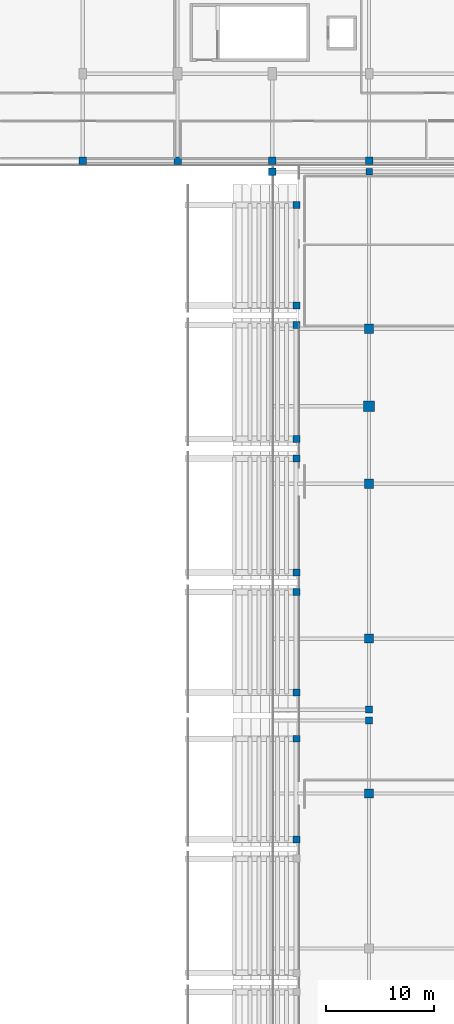
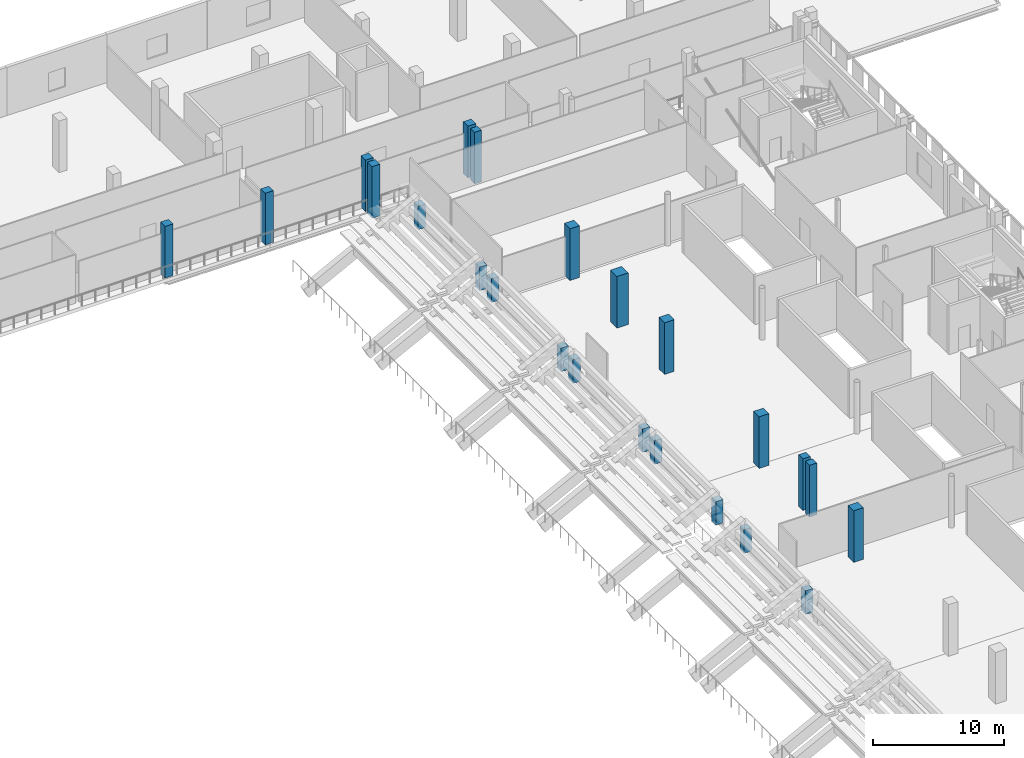
# One storey, part 8 of 74: 23 columns.
"""IFC4 building model written with IfcOpenShell, lengths in metres."""

from ifc_helpers import new_model, si_unit, direction, frame, origin, origin_2d, place, context, subcontext, project, spatial, rectangle, extrude, material, material_profile, profile_set, type_object, element, save


model = new_model("IFC4")

# Units and contexts
model_context = context("Model", 3, precision=1e-05, world=origin(), true_north=direction((0.0, 1.0)))
body_context = subcontext(model_context, "Body", "Model", "MODEL_VIEW")
ifc_project = project(units=[si_unit("LENGTHUNIT", "METRE"), si_unit("AREAUNIT", "SQUARE_METRE"), si_unit("VOLUMEUNIT", "CUBIC_METRE"), si_unit("PLANEANGLEUNIT", "RADIAN"), si_unit("MASSUNIT", "GRAM", prefix="KILO")], contexts=[model_context])

# Site, building, storey
site_placement = place(None, origin())
site = spatial("IfcSite", under=ifc_project, at=site_placement, CompositionType="ELEMENT")
building_placement = place(site_placement, origin())
building = spatial("IfcBuilding", under=site, at=building_placement, Name="Koshinbarg Plaza Stadium", CompositionType="ELEMENT")
storey_placement = place(building_placement, frame((0.0, 0.0, 15.0)))
storey = spatial("IfcBuildingStorey", under=building, at=storey_placement, Name="L03", CompositionType="ELEMENT", Elevation=15.0)

# Columns
ifc_material = material(Name="Concrete C40/50", Category="concrete")
ifc_material_profile_1 = material_profile(ifc_material, rectangle(XDim=0.60009765625, YDim=0.60009765625, at=origin_2d()), Name="RC 600x600")
ifc_profile_set_1 = profile_set([ifc_material_profile_1], Name="Concrete C40/50")
column_type_1 = type_object("IfcColumnType", Name="COL-RC-04", PredefinedType="COLUMN", material=ifc_profile_set_1)
column_1_placement = place(storey_placement, frame((189.39990234375, 126.5, 0.0), z_axis=(0.0, 0.0, 1.0), x_axis=(1.0, 0.0, 0.0)))
element("IfcColumn", 1, at=column_1_placement, inside=storey, type_object=column_type_1, Name="L03 column 18/R", PredefinedType="COLUMN", context=body_context, shape_type="SweptSolid", body=[
    extrude(rectangle(XDim=0.60009765625, YDim=0.60009765625, at=origin_2d()), origin(), (0.0, 0.0, 1.0), 4.800048828125),
])
ifc_material_profile_2 = material_profile(ifc_material, rectangle(XDim=0.64990234375, YDim=0.64990234375, at=origin_2d()), Name="RC 650x650")
ifc_profile_set_2 = profile_set([ifc_material_profile_2], Name="Concrete C40/50")
column_type_2 = type_object("IfcColumnType", Name="COL-RC-05", PredefinedType="COLUMN", material=ifc_profile_set_2)
for number, where, z_axis, x_axis, name in (
    (2, (189.39990234375, 75.5, 0.0), (0.0, 0.0, 1.0), (1.0, 0.0, 0.0), "L03 column 18/K"),
    (3, (189.39990234375, 76.5, 0.0), (0.0, 0.0, 1.0), (1.0, 0.0, 0.0), "L03 column 18/L"),
):
    element("IfcColumn", number, at=place(storey_placement, frame(where, z_axis=z_axis, x_axis=x_axis)), inside=storey, type_object=column_type_2, Name=name, PredefinedType="COLUMN", context=body_context, shape_type="SweptSolid", body=[
        extrude(rectangle(XDim=0.64990234375, YDim=0.64990234375, at=origin_2d()), origin(), (0.0, 0.0, 1.0), 4.800048828125),
    ])
for number, where, z_axis, x_axis, name in (
    (4, (182.659912109375, 64.449951171875, 0.0), (0.0, 0.0, 1.0), (1.0, 0.0, 0.0), "L03 bowl raker column UT-E04-L-CB"),
    (5, (182.659912109375, 73.800048828125, 0.0), (0.0, 0.0, 1.0), (1.0, 0.0, 0.0), "L03 bowl raker column UT-E04-R-CB"),
    (6, (182.659912109375, 78.10009765625, 0.0), (0.0, 0.0, 1.0), (1.0, 0.0, 0.0), "L03 bowl raker column UT-E05-L-CB"),
    (7, (182.659912109375, 87.449951171875, 0.0), (0.0, 0.0, 1.0), (1.0, 0.0, 0.0), "L03 bowl raker column UT-E05-R-CB"),
    (8, (182.659912109375, 89.25, 0.0), (0.0, 0.0, 1.0), (1.0, 0.0, 0.0), "L03 bowl raker column UT-E06-L-CB"),
    (9, (182.659912109375, 99.85009765625, 0.0), (0.0, 0.0, 1.0), (1.0, 0.0, 0.0), "L03 bowl raker column UT-E06-R-CB"),
    (10, (182.659912109375, 101.64990234375, 0.0), (0.0, 0.0, 1.0), (1.0, 0.0, 0.0), "L03 bowl raker column UT-E07-L-CB"),
    (11, (182.659912109375, 112.25, 0.0), (0.0, 0.0, 1.0), (1.0, 0.0, 0.0), "L03 bowl raker column UT-E07-R-CB"),
    (12, (182.659912109375, 114.050048828125, 0.0), (0.0, 0.0, 1.0), (1.0, 0.0, 0.0), "L03 bowl raker column UT-E08-L-CB"),
    (13, (182.659912109375, 123.39990234375, 0.0), (0.0, 0.0, 1.0), (1.0, 0.0, 0.0), "L03 bowl raker column UT-E08-R-CB"),
):
    element("IfcColumn", number, at=place(storey_placement, frame(where, z_axis=z_axis, x_axis=x_axis)), inside=storey, type_object=column_type_2, Name=name, PredefinedType="COLUMN", context=body_context, shape_type="SweptSolid", body=[
        extrude(rectangle(XDim=0.64990234375, YDim=0.64990234375, at=origin_2d()), origin(), (0.0, 0.0, 1.0), 2.18798828125),
    ])
ifc_material_profile_3 = material_profile(ifc_material, rectangle(XDim=0.699951171875, YDim=0.699951171875, at=origin_2d()), Name="RC 700x700")
ifc_profile_set_3 = profile_set([ifc_material_profile_3], Name="Concrete C40/50")
column_type_3 = type_object("IfcColumnType", Name="COL-RC-06", PredefinedType="COLUMN", material=ifc_profile_set_3)
for number, where, z_axis, x_axis, name in (
    (14, (162.800048828125, 127.5, 0.0), (0.0, 0.0, 1.0), (1.0, 0.0, 0.0), "L03 column 15/S"),
    (15, (171.60009765625, 127.5, 0.0), (0.0, 0.0, 1.0), (1.0, 0.0, 0.0), "L03 column 16/S"),
    (16, (180.39990234375, 126.5, 0.0), (0.0, 0.0, 1.0), (1.0, 0.0, 0.0), "L03 column 17/R"),
    (17, (180.39990234375, 127.5, 0.0), (0.0, 0.0, 1.0), (1.0, 0.0, 0.0), "L03 column 17/S"),
    (18, (189.39990234375, 127.5, 0.0), (0.0, 0.0, 1.0), (1.0, 0.0, 0.0), "L03 column 18/S"),
):
    element("IfcColumn", number, at=place(storey_placement, frame(where, z_axis=z_axis, x_axis=x_axis)), inside=storey, type_object=column_type_3, Name=name, PredefinedType="COLUMN", context=body_context, shape_type="SweptSolid", body=[
        extrude(rectangle(XDim=0.699951171875, YDim=0.699951171875, at=origin_2d()), origin(), (0.0, 0.0, 1.0), 4.800048828125),
    ])
ifc_material_profile_4 = material_profile(ifc_material, rectangle(XDim=0.85009765625, YDim=0.85009765625, at=origin_2d()), Name="RC 850x850")
ifc_profile_set_4 = profile_set([ifc_material_profile_4], Name="Concrete C40/50")
column_type_4 = type_object("IfcColumnType", Name="COL-RC-09", PredefinedType="COLUMN", material=ifc_profile_set_4)
for number, where, z_axis, x_axis, name in (
    (19, (189.39990234375, 68.699951171875, 0.0), (0.0, 0.0, 1.0), (1.0, 0.0, 0.0), "L03 column 18/J"),
    (20, (189.39990234375, 83.10009765625, 0.0), (0.0, 0.0, 1.0), (1.0, 0.0, 0.0), "L03 column 18/M"),
    (21, (189.39990234375, 97.5, 0.0), (0.0, 0.0, 1.0), (1.0, 0.0, 0.0), "L03 column 18/N"),
    (22, (189.39990234375, 111.89990234375, 0.0), (0.0, 0.0, 1.0), (1.0, 0.0, 0.0), "L03 column 18/Q"),
):
    element("IfcColumn", number, at=place(storey_placement, frame(where, z_axis=z_axis, x_axis=x_axis)), inside=storey, type_object=column_type_4, Name=name, PredefinedType="COLUMN", context=body_context, shape_type="SweptSolid", body=[
        extrude(rectangle(XDim=0.85009765625, YDim=0.85009765625, at=origin_2d()), origin(), (0.0, 0.0, 1.0), 4.800048828125),
    ])
ifc_material_profile_5 = material_profile(ifc_material, rectangle(XDim=1.0, YDim=1.0, at=origin_2d()), Name="RC 1000x1000")
ifc_profile_set_5 = profile_set([ifc_material_profile_5], Name="Concrete C40/50")
column_type_5 = type_object("IfcColumnType", Name="COL-RC-11", PredefinedType="COLUMN", material=ifc_profile_set_5)
column_2_placement = place(storey_placement, frame((189.39990234375, 104.699951171875, 0.0), z_axis=(0.0, 0.0, 1.0), x_axis=(1.0, 0.0, 0.0)))
element("IfcColumn", 23, at=column_2_placement, inside=storey, type_object=column_type_5, Name="L03 column 18/P", PredefinedType="COLUMN", context=body_context, shape_type="SweptSolid", body=[
    extrude(rectangle(XDim=1.0, YDim=1.0, at=origin_2d()), origin(), (0.0, 0.0, 1.0), 4.800048828125),
])

save(model, "model.ifc")
